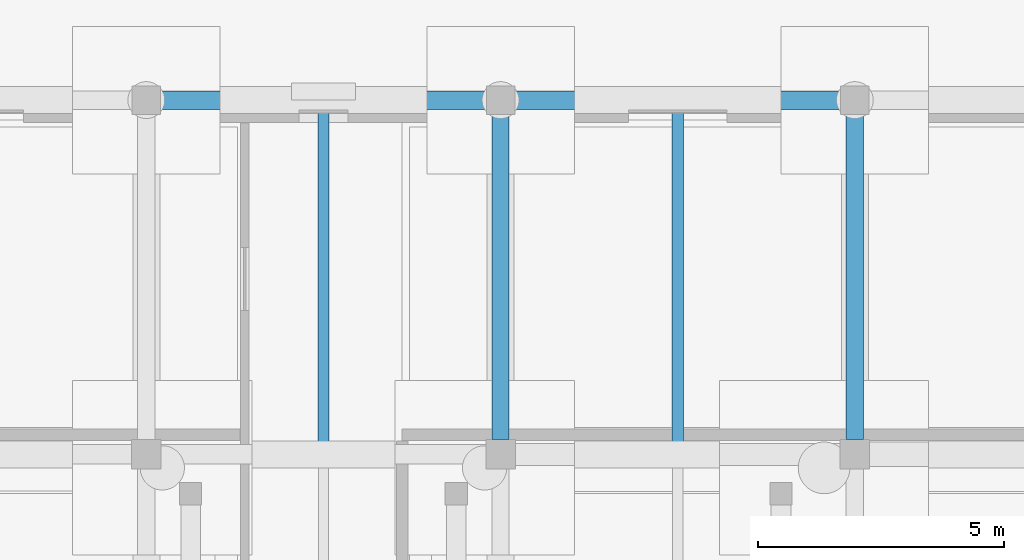
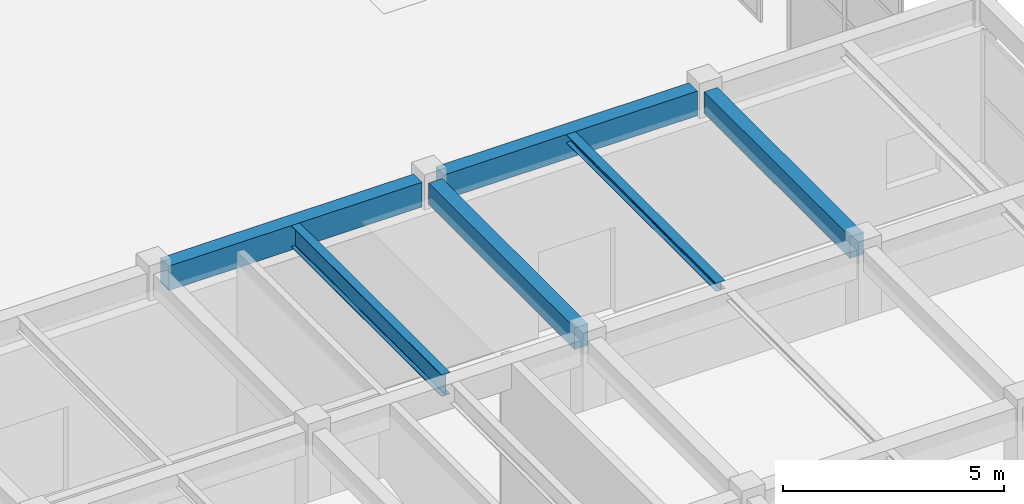
# One storey, part 33 of 91: 6 beams.
"""IFC4 building model written with IfcOpenShell, lengths in metres."""

from ifc_helpers import new_model, si_unit, direction, frame, origin, origin_2d, place, context, subcontext, project, spatial, rectangle, i_section, extrude, material, material_profile, profile_set, type_object, element, save


model = new_model("IFC4")

# Units and contexts
model_context = context("Model", 3, precision=1e-05, world=origin(), true_north=direction((0.0, 1.0)))
body_context = subcontext(model_context, "Body", "Model", "MODEL_VIEW")
ifc_project = project(units=[si_unit("LENGTHUNIT", "METRE"), si_unit("AREAUNIT", "SQUARE_METRE"), si_unit("VOLUMEUNIT", "CUBIC_METRE"), si_unit("PLANEANGLEUNIT", "RADIAN"), si_unit("MASSUNIT", "GRAM", prefix="KILO")], contexts=[model_context])

# Site, building, storey
site_placement = place(None, origin())
site = spatial("IfcSite", under=ifc_project, at=site_placement, CompositionType="ELEMENT")
building_placement = place(site_placement, origin())
building = spatial("IfcBuilding", under=site, at=building_placement, Name="Bramveld Media Centre", CompositionType="ELEMENT")
storey_placement = place(building_placement, origin())
storey = spatial("IfcBuildingStorey", under=building, at=storey_placement, Name="L00", CompositionType="ELEMENT", Elevation=0.0)

# Beams
ifc_material_1 = material(Name="Concrete C40/50", Category="concrete")
ifc_material_profile_1 = material_profile(ifc_material_1, rectangle(XDim=0.35009765625, YDim=0.60009765625, at=origin_2d()), Name="RC 350x600")
ifc_profile_set_1 = profile_set([ifc_material_profile_1], Name="Concrete C40/50")
beam_type_1 = type_object("IfcBeamType", Name="BM-INT-RC-350x600", PredefinedType="BEAM", material=ifc_profile_set_1)
for number, where, z_axis, x_axis, name in (
    (1, (21.60009765625, 61.10009765625, 4.840087890625), (0.0, 1.0, 0.0), (-1.0, 0.0, 0.0), "V3 L00 girder Y-230"),
    (2, (28.800048828125, 61.10009765625, 4.840087890625), (0.0, 1.0, 0.0), (-1.0, 0.0, 0.0), "V3 L00 girder Y-234"),
):
    element("IfcBeam", number, at=place(storey_placement, frame(where, z_axis=z_axis, x_axis=x_axis)), inside=storey, type_object=beam_type_1, Name=name, PredefinedType="BEAM", context=body_context, shape_type="SweptSolid", body=[
        extrude(rectangle(XDim=0.35009765625, YDim=0.60009765625, at=origin_2d()), origin(), (0.0, 0.0, 1.0), 6.60986328125),
    ])
ifc_material_2 = material(Name="Steel S355J2", Category="steel")
ifc_material_profile_2 = material_profile(ifc_material_2, i_section(OverallWidth=0.239990234375, OverallDepth=0.22998046875, WebThickness=0.007568359375, FlangeThickness=0.011962890625, FilletRadius=0.02099609375, at=origin_2d()), Name="HEA 240")
ifc_profile_set_2 = profile_set([ifc_material_profile_2], Name="Steel S355J2")
beam_type_2 = type_object("IfcBeamType", Name="SBM-INT-HEA-240", PredefinedType="BEAM", material=ifc_profile_set_2)
beam_1_placement = place(storey_placement, frame((25.199951171875, 61.02490234375, 5.02490234375), z_axis=(0.0, 1.0, 0.0), x_axis=(-1.0, 0.0, 0.0)))
element("IfcBeam", 3, at=beam_1_placement, inside=storey, type_object=beam_type_2, Name="V3 L00 secondary floor joist 252", PredefinedType="BEAM", context=body_context, shape_type="SweptSolid", body=[
    extrude(i_section(OverallWidth=0.239990234375, OverallDepth=0.22998046875, WebThickness=0.007568359375, FlangeThickness=0.011962890625, FilletRadius=0.02099609375, at=origin_2d()), origin(), (0.0, 0.0, 1.0), 6.78515625),
])
ifc_material_3 = material(Name="Steel S355J2", Category="steel")
ifc_material_profile_3 = material_profile(ifc_material_3, i_section(OverallWidth=0.219970703125, OverallDepth=0.60009765625, WebThickness=0.011962890625, FlangeThickness=0.01904296875, FilletRadius=0.02392578125, at=origin_2d()), Name="IPE 600")
ifc_profile_set_3 = profile_set([ifc_material_profile_3], Name="Steel S355J2")
beam_type_3 = type_object("IfcBeamType", Name="SBM-INT-IPE-600", PredefinedType="BEAM", material=ifc_profile_set_3)
beam_2_placement = place(storey_placement, frame((18.0, 61.0, 4.840087890625), z_axis=(0.0, 1.0, 0.0), x_axis=(-1.0, 0.0, 0.0)))
element("IfcBeam", 4, at=beam_2_placement, inside=storey, type_object=beam_type_3, Name="V3 L00 secondary floor joist 248", PredefinedType="BEAM", context=body_context, shape_type="SweptSolid", body=[
    extrude(i_section(OverallWidth=0.219970703125, OverallDepth=0.60009765625, WebThickness=0.011962890625, FlangeThickness=0.01904296875, FilletRadius=0.02392578125, at=origin_2d()), origin(), (0.0, 0.0, 1.0), 6.81005859375),
])
ifc_material_4 = material(Name="Concrete C40/50", Category="concrete")
ifc_material_profile_4 = material_profile(ifc_material_4, rectangle(XDim=0.3798828125, YDim=0.679931640625, at=origin_2d()), Name="RC 380x680")
ifc_profile_set_4 = profile_set([ifc_material_profile_4], Name="Concrete C40/50")
beam_type_4 = type_object("IfcBeamType", Name="SPANDREL-EXT-RC-380x680", PredefinedType="SPANDREL", material=ifc_profile_set_4)
for number, where, z_axis, x_axis, name in (
    (5, (14.68994140625, 68.0, 4.800048828125), (1.0, 0.0, 0.0), (0.0, 1.0, 0.0), "V3 L00 girder X-213"),
    (6, (21.889892578125, 68.0, 4.800048828125), (1.0, 0.0, 0.0), (0.0, 1.0, 0.0), "V3 L00 girder X-214"),
):
    element("IfcBeam", number, at=place(storey_placement, frame(where, z_axis=z_axis, x_axis=x_axis)), inside=storey, type_object=beam_type_4, Name=name, PredefinedType="SPANDREL", context=body_context, shape_type="SweptSolid", body=[
        extrude(rectangle(XDim=0.3798828125, YDim=0.679931640625, at=origin_2d()), origin(), (0.0, 0.0, 1.0), 6.6201171875),
    ])

save(model, "model.ifc")
